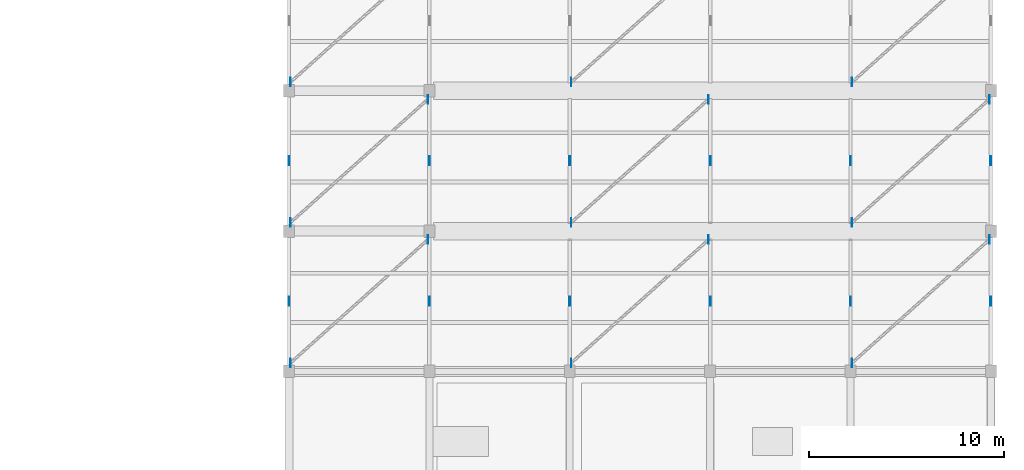
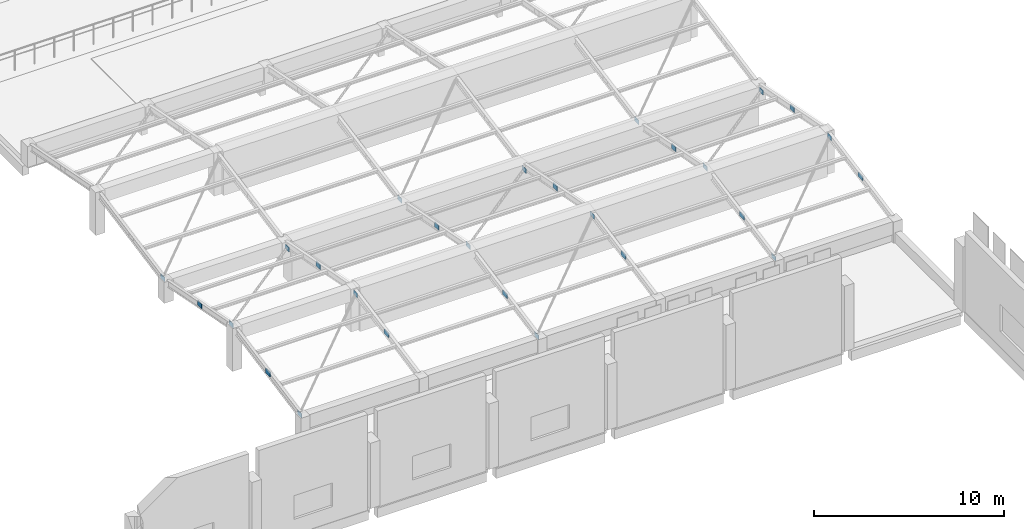
# One storey, part 53 of 72: 27 plates.
"""IFC4 building model written with IfcOpenShell, lengths in metres."""

from ifc_helpers import new_model, si_unit, direction, frame, origin, origin_2d, place, context, subcontext, project, spatial, rectangle, extrude, material, layer, layer_set, type_object, element, save


model = new_model("IFC4")

# Units and contexts
model_context = context("Model", 3, precision=1e-05, world=origin(), true_north=direction((0.0, 1.0)))
body_context = subcontext(model_context, "Body", "Model", "MODEL_VIEW")
ifc_project = project(units=[si_unit("LENGTHUNIT", "METRE"), si_unit("AREAUNIT", "SQUARE_METRE"), si_unit("VOLUMEUNIT", "CUBIC_METRE"), si_unit("PLANEANGLEUNIT", "RADIAN"), si_unit("MASSUNIT", "GRAM", prefix="KILO")], contexts=[model_context])

# Site, building, storey
site_placement = place(None, origin())
site = spatial("IfcSite", under=ifc_project, at=site_placement, CompositionType="ELEMENT")
building_placement = place(site_placement, origin())
building = spatial("IfcBuilding", under=site, at=building_placement, Name="Lusvemor Sports Hall", CompositionType="ELEMENT")
storey_placement = place(building_placement, frame((0.0, 0.0, 15.0)))
storey = spatial("IfcBuildingStorey", under=building, at=storey_placement, Name="L03", CompositionType="ELEMENT", Elevation=15.0)

# Plates
ifc_material_1 = material(Name="Steel S355", Category="steel")
ifc_layer_1 = layer(ifc_material_1, 0.02001953125)
ifc_layer_set_1 = layer_set([ifc_layer_1], Name="Steel S355")
plate_type_1 = type_object("IfcPlateType", Name="GUSSET_BRACE_C", PredefinedType="USERDEFINED", material=ifc_layer_set_1)
for number, where, z_axis, x_axis, name in (
    (1, (133.280029296875, 47.239990234375, 0.925048828125), (0.0, 0.0, 1.0), (1.0, 0.0, 0.0), "Climbing Roof Brace Gusset 15-1-0"),
    (2, (140.320068359375, 53.56005859375, 2.324951171875), (0.0, 0.0, 1.0), (1.0, 0.0, 0.0), "Climbing Roof Brace Gusset 15-1-1"),
    (3, (147.679931640625, 47.239990234375, 0.925048828125), (0.0, 0.0, 1.0), (1.0, 0.0, 0.0), "Climbing Roof Brace Gusset 17-1-0"),
    (4, (154.719970703125, 53.56005859375, 2.324951171875), (0.0, 0.0, 1.0), (1.0, 0.0, 0.0), "Climbing Roof Brace Gusset 17-1-1"),
    (5, (162.080078125, 47.239990234375, 0.925048828125), (0.0, 0.0, 1.0), (1.0, 0.0, 0.0), "Climbing Roof Brace Gusset 19-1-0"),
    (6, (169.1201171875, 53.56005859375, 2.324951171875), (0.0, 0.0, 1.0), (1.0, 0.0, 0.0), "Climbing Roof Brace Gusset 19-1-1"),
    (7, (133.280029296875, 54.43994140625, 2.324951171875), (0.0, 0.0, 1.0), (1.0, 0.0, 0.0), "Climbing Roof Brace Gusset 15-2-0"),
    (8, (140.320068359375, 60.760009765625, 0.925048828125), (0.0, 0.0, 1.0), (1.0, 0.0, 0.0), "Climbing Roof Brace Gusset 15-2-1"),
    (9, (147.679931640625, 54.43994140625, 2.324951171875), (0.0, 0.0, 1.0), (1.0, 0.0, 0.0), "Climbing Roof Brace Gusset 17-2-0"),
    (10, (154.719970703125, 60.760009765625, 0.925048828125), (0.0, 0.0, 1.0), (1.0, 0.0, 0.0), "Climbing Roof Brace Gusset 17-2-1"),
    (11, (162.080078125, 54.43994140625, 2.324951171875), (0.0, 0.0, 1.0), (1.0, 0.0, 0.0), "Climbing Roof Brace Gusset 19-2-0"),
    (12, (169.1201171875, 60.760009765625, 0.925048828125), (0.0, 0.0, 1.0), (1.0, 0.0, 0.0), "Climbing Roof Brace Gusset 19-2-1"),
    (13, (133.280029296875, 61.639892578125, 0.925048828125), (0.0, 0.0, 1.0), (1.0, 0.0, 0.0), "Climbing Roof Brace Gusset 15-3-0"),
    (14, (147.679931640625, 61.639892578125, 0.925048828125), (0.0, 0.0, 1.0), (1.0, 0.0, 0.0), "Climbing Roof Brace Gusset 17-3-0"),
    (15, (162.080078125, 61.639892578125, 0.925048828125), (0.0, 0.0, 1.0), (1.0, 0.0, 0.0), "Climbing Roof Brace Gusset 19-3-0"),
):
    element("IfcPlate", number, at=place(storey_placement, frame(where, z_axis=z_axis, x_axis=x_axis)), inside=storey, type_object=plate_type_1, Name=name, ObjectType="GUSSET_PLATE", PredefinedType="USERDEFINED", context=body_context, shape_type="SweptSolid", body=[
        extrude(rectangle(XDim=0.02001953125, YDim=0.43994140625, at=origin_2d()), origin(), (0.0, 0.0, 1.0), 0.2900390625),
    ])
ifc_material_2 = material(Name="Steel S355", Category="steel")
ifc_layer_2 = layer(ifc_material_2, 0.050048828125)
ifc_layer_set_2 = layer_set([ifc_layer_2], Name="Steel S355")
plate_type_2 = type_object("IfcPlateType", Name="GUSSET_SAW_E", PredefinedType="USERDEFINED", material=ifc_layer_set_2)
for number, where, z_axis, x_axis, name in (
    (16, (133.199951171875, 50.39990234375, 1.68115234375), (0.0, 0.0, 1.0), (1.0, 0.0, 0.0), "North-Light Rafter Gusset 15-1"),
    (17, (140.39990234375, 50.39990234375, 1.68115234375), (0.0, 0.0, 1.0), (1.0, 0.0, 0.0), "North-Light Rafter Gusset 16-1"),
    (18, (147.60009765625, 50.39990234375, 1.66162109375), (0.0, 0.0, 1.0), (1.0, 0.0, 0.0), "North-Light Rafter Gusset 17-1"),
    (19, (154.800048828125, 50.39990234375, 1.66162109375), (0.0, 0.0, 1.0), (1.0, 0.0, 0.0), "North-Light Rafter Gusset 18-1"),
    (20, (162.0, 50.39990234375, 1.66162109375), (0.0, 0.0, 1.0), (1.0, 0.0, 0.0), "North-Light Rafter Gusset 19-1"),
    (21, (169.199951171875, 50.39990234375, 1.68115234375), (0.0, 0.0, 1.0), (1.0, 0.0, 0.0), "North-Light Rafter Gusset 20-1"),
    (22, (133.199951171875, 57.60009765625, 1.68115234375), (0.0, 0.0, 1.0), (1.0, 0.0, 0.0), "North-Light Rafter Gusset 15-2"),
    (23, (140.39990234375, 57.60009765625, 1.68115234375), (0.0, 0.0, 1.0), (1.0, 0.0, 0.0), "North-Light Rafter Gusset 16-2"),
    (24, (147.60009765625, 57.60009765625, 1.68115234375), (0.0, 0.0, 1.0), (1.0, 0.0, 0.0), "North-Light Rafter Gusset 17-2"),
    (25, (154.800048828125, 57.60009765625, 1.68115234375), (0.0, 0.0, 1.0), (1.0, 0.0, 0.0), "North-Light Rafter Gusset 18-2"),
    (26, (162.0, 57.60009765625, 1.68115234375), (0.0, 0.0, 1.0), (1.0, 0.0, 0.0), "North-Light Rafter Gusset 19-2"),
    (27, (169.199951171875, 57.60009765625, 1.68115234375), (0.0, 0.0, 1.0), (1.0, 0.0, 0.0), "North-Light Rafter Gusset 20-2"),
):
    element("IfcPlate", number, at=place(storey_placement, frame(where, z_axis=z_axis, x_axis=x_axis)), inside=storey, type_object=plate_type_2, Name=name, ObjectType="GUSSET_PLATE", PredefinedType="USERDEFINED", context=body_context, shape_type="SweptSolid", body=[
        extrude(rectangle(XDim=0.050048828125, YDim=0.4599609375, at=origin_2d()), origin(), (0.0, 0.0, 1.0), 0.300048828125),
    ])

save(model, "model.ifc")
